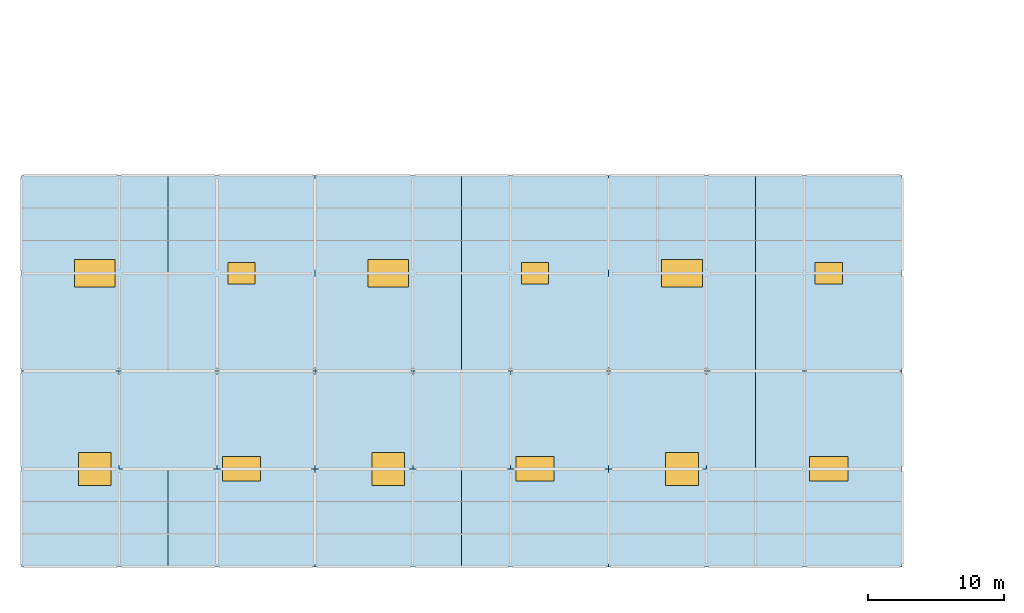
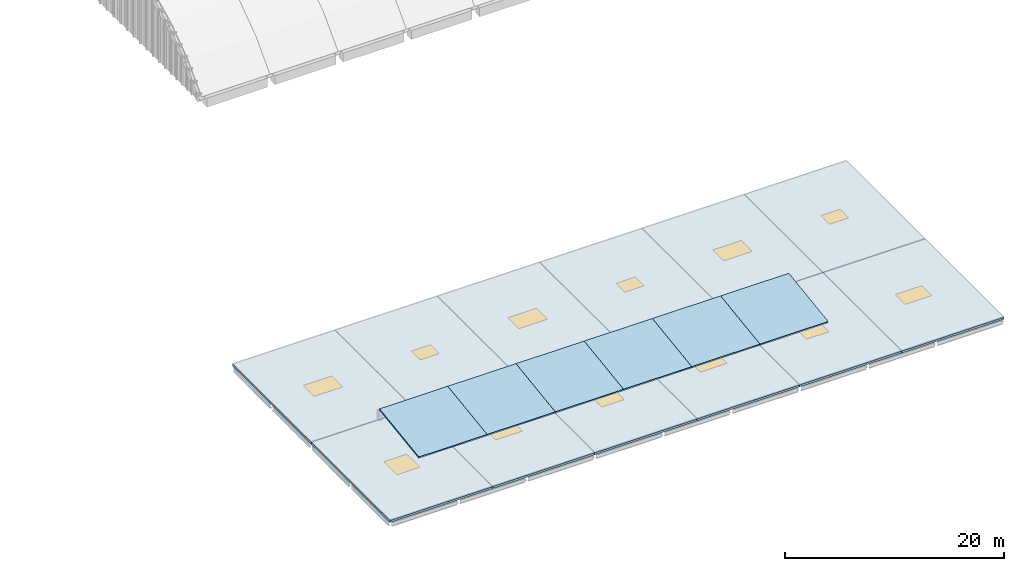
# One storey, part 6 of 16: 18 slabs, 12 windows, 12 openings.
"""IFC4 building model written with IfcOpenShell, lengths in metres."""

from ifc_helpers import new_model, si_unit, direction, frame, origin, origin_2d, place, context, subcontext, project, spatial, polyline, rectangle, outline, extrude, material, layer, layer_set, type_object, element, fill, save


model = new_model("IFC4")

# Units and contexts
model_context = context("Model", 3, precision=1e-05, world=origin(), true_north=direction((0.0, 1.0)))
body_context = subcontext(model_context, "Body", "Model", "MODEL_VIEW")
ifc_project = project(units=[si_unit("LENGTHUNIT", "METRE"), si_unit("AREAUNIT", "SQUARE_METRE"), si_unit("VOLUMEUNIT", "CUBIC_METRE"), si_unit("PLANEANGLEUNIT", "RADIAN"), si_unit("MASSUNIT", "GRAM", prefix="KILO")], contexts=[model_context])

# Site, building, storey
site_placement = place(None, origin())
site = spatial("IfcSite", under=ifc_project, at=site_placement, CompositionType="ELEMENT")
building_placement = place(site_placement, origin())
building = spatial("IfcBuilding", under=site, at=building_placement, Name="Sardonyx Promenade Sports Hall", CompositionType="ELEMENT")
storey_placement = place(building_placement, frame((0.0, 0.0, 24.800048828125)))
storey = spatial("IfcBuildingStorey", under=building, at=storey_placement, Name="RF", CompositionType="ELEMENT", Elevation=24.800048828125)

# Slab, opening, window
ifc_material_1 = material(Name="Concrete C40/50", Category="concrete")
ifc_layer_1 = layer(ifc_material_1, 0.22998046875)
ifc_layer_set_1 = layer_set([ifc_layer_1], Name="Slab_Roof_Flat_230")
slab_type_1 = type_object("IfcSlabType", Name="Slab_Roof_Flat_230", PredefinedType="ROOF", material=ifc_layer_set_1)
slab_1_placement = place(storey_placement, frame((0.0, 0.0, -0.22998046875)))
slab_1 = element("IfcSlab", 1, at=slab_1_placement, inside=storey, type_object=slab_type_1, Name="Slab RS02 RF #1", PredefinedType="ROOF", context=body_context, shape_type="SweptSolid", body=[
    extrude(outline(polyline([(7.199951171875, 0.0), (18.0, 0.0), (18.0, 14.39990234375), (7.199951171875, 14.39990234375), (7.199951171875, 0.0)])), origin(), (0.0, 0.0, 1.0), 0.22998046875),
])
opening_1_placement = place(slab_1_placement, frame((12.60009765625, 7.199951171875, 0.0)))
opening_1 = element("IfcOpeningElement", 2, at=opening_1_placement, cuts=slab_1, Name="Opening W03", PredefinedType="OPENING", context=body_context, shape_type="SweptSolid", body=[
    extrude(rectangle(XDim=2.39990234375, YDim=2.39990234375, at=origin_2d()), origin(), (0.0, 0.0, 1.0), 0.22998046875),
])
ifc_material_2 = material(Name="Double-glazed solar low-E aluminium window", Category="aluminium")
window_type_1 = type_object("IfcWindowType", Name="Sky_Foyer_240x240", PartitioningType="DOUBLE_PANEL_VERTICAL", PredefinedType="SKYLIGHT", material=ifc_material_2)
window_1_placement = place(opening_1_placement, frame((0.0, 0.0, 0.179931640625)))
window_1 = element("IfcWindow", 3, at=window_1_placement, inside=storey, type_object=window_type_1, Name="Modular skylight W03 #1", OverallHeight=2.39990234375, OverallWidth=2.39990234375, PartitioningType="SINGLE_PANEL", PredefinedType="SKYLIGHT", context=body_context, shape_type="SweptSolid", body=[
    extrude(rectangle(XDim=2.39990234375, YDim=2.39990234375, at=origin_2d()), origin(), (0.0, 0.0, 1.0), 0.050048828125),
])
fill(opening_1, window_1)

slab_2_placement = place(storey_placement, frame((0.0, 0.0, -0.22998046875)))
slab_2 = element("IfcSlab", 4, at=slab_2_placement, inside=storey, type_object=slab_type_1, Name="Slab RS02 RF #2", PredefinedType="ROOF", context=body_context, shape_type="SweptSolid", body=[
    extrude(outline(polyline([(7.199951171875, 14.39990234375), (18.0, 14.39990234375), (18.0, 28.800048828125), (7.199951171875, 28.800048828125), (7.199951171875, 14.39990234375)])), origin(), (0.0, 0.0, 1.0), 0.22998046875),
])
opening_2_placement = place(slab_2_placement, frame((12.60009765625, 21.60009765625, 0.0)))
opening_2 = element("IfcOpeningElement", 5, at=opening_2_placement, cuts=slab_2, Name="Opening W19", PredefinedType="OPENING", context=body_context, shape_type="SweptSolid", body=[
    extrude(rectangle(XDim=3.0, YDim=2.0, at=origin_2d()), origin(), (0.0, 0.0, 1.0), 0.22998046875),
])
ifc_material_3 = material(Name="Double-glazed solar low-E aluminium window", Category="aluminium")
window_type_2 = type_object("IfcWindowType", Name="Sky_Foyer_300x200", PartitioningType="DOUBLE_PANEL_VERTICAL", PredefinedType="SKYLIGHT", material=ifc_material_3)
window_2_placement = place(opening_2_placement, frame((0.0, 0.0, 0.179931640625)))
window_2 = element("IfcWindow", 6, at=window_2_placement, inside=storey, type_object=window_type_2, Name="Modular skylight W19 #2", OverallHeight=2.0, OverallWidth=3.0, PartitioningType="SINGLE_PANEL", PredefinedType="SKYLIGHT", context=body_context, shape_type="SweptSolid", body=[
    extrude(rectangle(XDim=3.0, YDim=2.0, at=origin_2d()), origin(), (0.0, 0.0, 1.0), 0.050048828125),
])
fill(opening_2, window_2)

slab_3_placement = place(storey_placement, frame((0.0, 0.0, -0.22998046875)))
slab_3 = element("IfcSlab", 7, at=slab_3_placement, inside=storey, type_object=slab_type_1, Name="Slab RS02 RF #3", PredefinedType="ROOF", context=body_context, shape_type="SweptSolid", body=[
    extrude(outline(polyline([(18.0, 0.0), (28.800048828125, 0.0), (28.800048828125, 14.39990234375), (18.0, 14.39990234375), (18.0, 0.0)])), origin(), (0.0, 0.0, 1.0), 0.22998046875),
])
opening_3_placement = place(slab_3_placement, frame((23.39990234375, 7.199951171875, 0.0)))
opening_3 = element("IfcOpeningElement", 8, at=opening_3_placement, cuts=slab_3, Name="Opening W18", PredefinedType="OPENING", context=body_context, shape_type="SweptSolid", body=[
    extrude(rectangle(XDim=2.800048828125, YDim=1.800048828125, at=origin_2d()), origin(), (0.0, 0.0, 1.0), 0.22998046875),
])
ifc_material_4 = material(Name="Double-glazed solar low-E aluminium window", Category="aluminium")
window_type_3 = type_object("IfcWindowType", Name="Sky_Climb_280x180", PartitioningType="DOUBLE_PANEL_VERTICAL", PredefinedType="SKYLIGHT", material=ifc_material_4)
window_3_placement = place(opening_3_placement, frame((0.0, 0.0, 0.179931640625)))
window_3 = element("IfcWindow", 9, at=window_3_placement, inside=storey, type_object=window_type_3, Name="Modular skylight W18 #3", OverallHeight=1.800048828125, OverallWidth=2.800048828125, PartitioningType="SINGLE_PANEL", PredefinedType="SKYLIGHT", context=body_context, shape_type="SweptSolid", body=[
    extrude(rectangle(XDim=2.800048828125, YDim=1.800048828125, at=origin_2d()), origin(), (0.0, 0.0, 1.0), 0.050048828125),
])
fill(opening_3, window_3)

slab_4_placement = place(storey_placement, frame((0.0, 0.0, -0.22998046875)))
slab_4 = element("IfcSlab", 10, at=slab_4_placement, inside=storey, type_object=slab_type_1, Name="Slab RS02 RF #4", PredefinedType="ROOF", context=body_context, shape_type="SweptSolid", body=[
    extrude(outline(polyline([(18.0, 14.39990234375), (28.800048828125, 14.39990234375), (28.800048828125, 28.800048828125), (18.0, 28.800048828125), (18.0, 14.39990234375)])), origin(), (0.0, 0.0, 1.0), 0.22998046875),
])
opening_4_placement = place(slab_4_placement, frame((23.39990234375, 21.60009765625, 0.0)))
opening_4 = element("IfcOpeningElement", 11, at=opening_4_placement, cuts=slab_4, Name="Opening W12", PredefinedType="OPENING", context=body_context, shape_type="SweptSolid", body=[
    extrude(rectangle(XDim=2.0, YDim=1.60009765625, at=origin_2d()), origin(), (0.0, 0.0, 1.0), 0.22998046875),
])
ifc_material_5 = material(Name="Double-glazed solar low-E aluminium window", Category="aluminium")
window_type_4 = type_object("IfcWindowType", Name="Sky_Studio_200x160", PartitioningType="DOUBLE_PANEL_VERTICAL", PredefinedType="SKYLIGHT", material=ifc_material_5)
window_4_placement = place(opening_4_placement, frame((0.0, 0.0, 0.179931640625)))
window_4 = element("IfcWindow", 12, at=window_4_placement, inside=storey, type_object=window_type_4, Name="Modular skylight W12 #4", OverallHeight=1.60009765625, OverallWidth=2.0, PartitioningType="SINGLE_PANEL", PredefinedType="SKYLIGHT", context=body_context, shape_type="SweptSolid", body=[
    extrude(rectangle(XDim=2.0, YDim=1.60009765625, at=origin_2d()), origin(), (0.0, 0.0, 1.0), 0.050048828125),
])
fill(opening_4, window_4)

slab_5_placement = place(storey_placement, frame((0.0, 0.0, -0.22998046875)))
slab_5 = element("IfcSlab", 13, at=slab_5_placement, inside=storey, type_object=slab_type_1, Name="Slab RS02 RF #5", PredefinedType="ROOF", context=body_context, shape_type="SweptSolid", body=[
    extrude(outline(polyline([(28.800048828125, 0.0), (39.60009765625, 0.0), (39.60009765625, 14.39990234375), (28.800048828125, 14.39990234375), (28.800048828125, 0.0)])), origin(), (0.0, 0.0, 1.0), 0.22998046875),
])
opening_5_placement = place(slab_5_placement, frame((34.199951171875, 7.199951171875, 0.0)))
opening_5 = element("IfcOpeningElement", 14, at=opening_5_placement, cuts=slab_5, Name="Opening W03", PredefinedType="OPENING", context=body_context, shape_type="SweptSolid", body=[
    extrude(rectangle(XDim=2.39990234375, YDim=2.39990234375, at=origin_2d()), origin(), (0.0, 0.0, 1.0), 0.22998046875),
])
window_5_placement = place(opening_5_placement, frame((0.0, 0.0, 0.179931640625)))
window_5 = element("IfcWindow", 15, at=window_5_placement, inside=storey, type_object=window_type_1, Name="Modular skylight W03 #5", OverallHeight=2.39990234375, OverallWidth=2.39990234375, PartitioningType="SINGLE_PANEL", PredefinedType="SKYLIGHT", context=body_context, shape_type="SweptSolid", body=[
    extrude(rectangle(XDim=2.39990234375, YDim=2.39990234375, at=origin_2d()), origin(), (0.0, 0.0, 1.0), 0.050048828125),
])
fill(opening_5, window_5)

slab_6_placement = place(storey_placement, frame((0.0, 0.0, -0.22998046875)))
slab_6 = element("IfcSlab", 16, at=slab_6_placement, inside=storey, type_object=slab_type_1, Name="Slab RS02 RF #6", PredefinedType="ROOF", context=body_context, shape_type="SweptSolid", body=[
    extrude(outline(polyline([(28.800048828125, 14.39990234375), (39.60009765625, 14.39990234375), (39.60009765625, 28.800048828125), (28.800048828125, 28.800048828125), (28.800048828125, 14.39990234375)])), origin(), (0.0, 0.0, 1.0), 0.22998046875),
])
opening_6_placement = place(slab_6_placement, frame((34.199951171875, 21.60009765625, 0.0)))
opening_6 = element("IfcOpeningElement", 17, at=opening_6_placement, cuts=slab_6, Name="Opening W19", PredefinedType="OPENING", context=body_context, shape_type="SweptSolid", body=[
    extrude(rectangle(XDim=3.0, YDim=2.0, at=origin_2d()), origin(), (0.0, 0.0, 1.0), 0.22998046875),
])
window_6_placement = place(opening_6_placement, frame((0.0, 0.0, 0.179931640625)))
window_6 = element("IfcWindow", 18, at=window_6_placement, inside=storey, type_object=window_type_2, Name="Modular skylight W19 #6", OverallHeight=2.0, OverallWidth=3.0, PartitioningType="SINGLE_PANEL", PredefinedType="SKYLIGHT", context=body_context, shape_type="SweptSolid", body=[
    extrude(rectangle(XDim=3.0, YDim=2.0, at=origin_2d()), origin(), (0.0, 0.0, 1.0), 0.050048828125),
])
fill(opening_6, window_6)

slab_7_placement = place(storey_placement, frame((0.0, 0.0, -0.22998046875)))
slab_7 = element("IfcSlab", 19, at=slab_7_placement, inside=storey, type_object=slab_type_1, Name="Slab RS02 RF #7", PredefinedType="ROOF", context=body_context, shape_type="SweptSolid", body=[
    extrude(outline(polyline([(39.60009765625, 0.0), (50.39990234375, 0.0), (50.39990234375, 14.39990234375), (39.60009765625, 14.39990234375), (39.60009765625, 0.0)])), origin(), (0.0, 0.0, 1.0), 0.22998046875),
])
opening_7_placement = place(slab_7_placement, frame((45.0, 7.199951171875, 0.0)))
opening_7 = element("IfcOpeningElement", 20, at=opening_7_placement, cuts=slab_7, Name="Opening W18", PredefinedType="OPENING", context=body_context, shape_type="SweptSolid", body=[
    extrude(rectangle(XDim=2.800048828125, YDim=1.800048828125, at=origin_2d()), origin(), (0.0, 0.0, 1.0), 0.22998046875),
])
window_7_placement = place(opening_7_placement, frame((0.0, 0.0, 0.179931640625)))
window_7 = element("IfcWindow", 21, at=window_7_placement, inside=storey, type_object=window_type_3, Name="Modular skylight W18 #7", OverallHeight=1.800048828125, OverallWidth=2.800048828125, PartitioningType="SINGLE_PANEL", PredefinedType="SKYLIGHT", context=body_context, shape_type="SweptSolid", body=[
    extrude(rectangle(XDim=2.800048828125, YDim=1.800048828125, at=origin_2d()), origin(), (0.0, 0.0, 1.0), 0.050048828125),
])
fill(opening_7, window_7)

slab_8_placement = place(storey_placement, frame((0.0, 0.0, -0.22998046875)))
slab_8 = element("IfcSlab", 22, at=slab_8_placement, inside=storey, type_object=slab_type_1, Name="Slab RS02 RF #8", PredefinedType="ROOF", context=body_context, shape_type="SweptSolid", body=[
    extrude(outline(polyline([(39.60009765625, 14.39990234375), (50.39990234375, 14.39990234375), (50.39990234375, 28.800048828125), (39.60009765625, 28.800048828125), (39.60009765625, 14.39990234375)])), origin(), (0.0, 0.0, 1.0), 0.22998046875),
])
opening_8_placement = place(slab_8_placement, frame((45.0, 21.60009765625, 0.0)))
opening_8 = element("IfcOpeningElement", 23, at=opening_8_placement, cuts=slab_8, Name="Opening W12", PredefinedType="OPENING", context=body_context, shape_type="SweptSolid", body=[
    extrude(rectangle(XDim=2.0, YDim=1.60009765625, at=origin_2d()), origin(), (0.0, 0.0, 1.0), 0.22998046875),
])
window_8_placement = place(opening_8_placement, frame((0.0, 0.0, 0.179931640625)))
window_8 = element("IfcWindow", 24, at=window_8_placement, inside=storey, type_object=window_type_4, Name="Modular skylight W12 #8", OverallHeight=1.60009765625, OverallWidth=2.0, PartitioningType="SINGLE_PANEL", PredefinedType="SKYLIGHT", context=body_context, shape_type="SweptSolid", body=[
    extrude(rectangle(XDim=2.0, YDim=1.60009765625, at=origin_2d()), origin(), (0.0, 0.0, 1.0), 0.050048828125),
])
fill(opening_8, window_8)

slab_9_placement = place(storey_placement, frame((0.0, 0.0, -0.22998046875)))
slab_9 = element("IfcSlab", 25, at=slab_9_placement, inside=storey, type_object=slab_type_1, Name="Slab RS02 RF #9", PredefinedType="ROOF", context=body_context, shape_type="SweptSolid", body=[
    extrude(outline(polyline([(50.39990234375, 0.0), (61.199951171875, 0.0), (61.199951171875, 14.39990234375), (50.39990234375, 14.39990234375), (50.39990234375, 0.0)])), origin(), (0.0, 0.0, 1.0), 0.22998046875),
])
opening_9_placement = place(slab_9_placement, frame((55.800048828125, 7.199951171875, 0.0)))
opening_9 = element("IfcOpeningElement", 26, at=opening_9_placement, cuts=slab_9, Name="Opening W03", PredefinedType="OPENING", context=body_context, shape_type="SweptSolid", body=[
    extrude(rectangle(XDim=2.39990234375, YDim=2.39990234375, at=origin_2d()), origin(), (0.0, 0.0, 1.0), 0.22998046875),
])
window_9_placement = place(opening_9_placement, frame((0.0, 0.0, 0.179931640625)))
window_9 = element("IfcWindow", 27, at=window_9_placement, inside=storey, type_object=window_type_1, Name="Modular skylight W03 #9", OverallHeight=2.39990234375, OverallWidth=2.39990234375, PartitioningType="SINGLE_PANEL", PredefinedType="SKYLIGHT", context=body_context, shape_type="SweptSolid", body=[
    extrude(rectangle(XDim=2.39990234375, YDim=2.39990234375, at=origin_2d()), origin(), (0.0, 0.0, 1.0), 0.050048828125),
])
fill(opening_9, window_9)

slab_10_placement = place(storey_placement, frame((0.0, 0.0, -0.22998046875)))
slab_10 = element("IfcSlab", 28, at=slab_10_placement, inside=storey, type_object=slab_type_1, Name="Slab RS02 RF #10", PredefinedType="ROOF", context=body_context, shape_type="SweptSolid", body=[
    extrude(outline(polyline([(50.39990234375, 14.39990234375), (61.199951171875, 14.39990234375), (61.199951171875, 28.800048828125), (50.39990234375, 28.800048828125), (50.39990234375, 14.39990234375)])), origin(), (0.0, 0.0, 1.0), 0.22998046875),
])
opening_10_placement = place(slab_10_placement, frame((55.800048828125, 21.60009765625, 0.0)))
opening_10 = element("IfcOpeningElement", 29, at=opening_10_placement, cuts=slab_10, Name="Opening W19", PredefinedType="OPENING", context=body_context, shape_type="SweptSolid", body=[
    extrude(rectangle(XDim=3.0, YDim=2.0, at=origin_2d()), origin(), (0.0, 0.0, 1.0), 0.22998046875),
])
window_10_placement = place(opening_10_placement, frame((0.0, 0.0, 0.179931640625)))
window_10 = element("IfcWindow", 30, at=window_10_placement, inside=storey, type_object=window_type_2, Name="Modular skylight W19 #10", OverallHeight=2.0, OverallWidth=3.0, PartitioningType="SINGLE_PANEL", PredefinedType="SKYLIGHT", context=body_context, shape_type="SweptSolid", body=[
    extrude(rectangle(XDim=3.0, YDim=2.0, at=origin_2d()), origin(), (0.0, 0.0, 1.0), 0.050048828125),
])
fill(opening_10, window_10)

slab_11_placement = place(storey_placement, frame((0.0, 0.0, -0.22998046875)))
slab_11 = element("IfcSlab", 31, at=slab_11_placement, inside=storey, type_object=slab_type_1, Name="Slab RS02 RF #11", PredefinedType="ROOF", context=body_context, shape_type="SweptSolid", body=[
    extrude(outline(polyline([(61.199951171875, 0.0), (72.0, 0.0), (72.0, 14.39990234375), (61.199951171875, 14.39990234375), (61.199951171875, 0.0)])), origin(), (0.0, 0.0, 1.0), 0.22998046875),
])
opening_11_placement = place(slab_11_placement, frame((66.60009765625, 7.199951171875, 0.0)))
opening_11 = element("IfcOpeningElement", 32, at=opening_11_placement, cuts=slab_11, Name="Opening W18", PredefinedType="OPENING", context=body_context, shape_type="SweptSolid", body=[
    extrude(rectangle(XDim=2.800048828125, YDim=1.800048828125, at=origin_2d()), origin(), (0.0, 0.0, 1.0), 0.22998046875),
])
window_11_placement = place(opening_11_placement, frame((0.0, 0.0, 0.179931640625)))
window_11 = element("IfcWindow", 33, at=window_11_placement, inside=storey, type_object=window_type_3, Name="Modular skylight W18 #11", OverallHeight=1.800048828125, OverallWidth=2.800048828125, PartitioningType="SINGLE_PANEL", PredefinedType="SKYLIGHT", context=body_context, shape_type="SweptSolid", body=[
    extrude(rectangle(XDim=2.800048828125, YDim=1.800048828125, at=origin_2d()), origin(), (0.0, 0.0, 1.0), 0.050048828125),
])
fill(opening_11, window_11)

slab_12_placement = place(storey_placement, frame((0.0, 0.0, -0.22998046875)))
slab_12 = element("IfcSlab", 34, at=slab_12_placement, inside=storey, type_object=slab_type_1, Name="Slab RS02 RF #12", PredefinedType="ROOF", context=body_context, shape_type="SweptSolid", body=[
    extrude(outline(polyline([(61.199951171875, 14.39990234375), (72.0, 14.39990234375), (72.0, 28.800048828125), (61.199951171875, 28.800048828125), (61.199951171875, 14.39990234375)])), origin(), (0.0, 0.0, 1.0), 0.22998046875),
])
opening_12_placement = place(slab_12_placement, frame((66.60009765625, 21.60009765625, 0.0)))
opening_12 = element("IfcOpeningElement", 35, at=opening_12_placement, cuts=slab_12, Name="Opening W12", PredefinedType="OPENING", context=body_context, shape_type="SweptSolid", body=[
    extrude(rectangle(XDim=2.0, YDim=1.60009765625, at=origin_2d()), origin(), (0.0, 0.0, 1.0), 0.22998046875),
])
window_12_placement = place(opening_12_placement, frame((0.0, 0.0, 0.179931640625)))
window_12 = element("IfcWindow", 36, at=window_12_placement, inside=storey, type_object=window_type_4, Name="Modular skylight W12 #12", OverallHeight=1.60009765625, OverallWidth=2.0, PartitioningType="SINGLE_PANEL", PredefinedType="SKYLIGHT", context=body_context, shape_type="SweptSolid", body=[
    extrude(rectangle(XDim=2.0, YDim=1.60009765625, at=origin_2d()), origin(), (0.0, 0.0, 1.0), 0.050048828125),
])
fill(opening_12, window_12)

# Slabs
ifc_material_6 = material(Name="Concrete C40/50", Category="concrete")
ifc_layer_2 = layer(ifc_material_6, 0.159912109375)
ifc_layer_set_2 = layer_set([ifc_layer_2], Name="Slab_Roof_Sloped_160")
slab_type_2 = type_object("IfcSlabType", Name="Slab_Roof_Sloped_160", PredefinedType="ROOF", material=ifc_layer_set_2)
slab_13_placement = place(storey_placement, frame((14.39990234375, 7.199951171875, 0.199951171875), z_axis=(0.0, -0.139183316727, 0.990266632955), x_axis=(1.0, 0.0, 0.0)))
element("IfcSlab", 37, at=slab_13_placement, inside=storey, type_object=slab_type_2, Name="Pavilion mono-pitch roof slab #1", PredefinedType="ROOF", context=body_context, shape_type="SweptSolid", body=[
    extrude(outline(polyline([(0.0, 0.0), (7.2001953125, 0.0), (7.2001953125, 7.270719755937942), (0.0, 7.270719755937942), (0.0, 0.0)])), origin(), (0.0, 0.0, -1.0), 0.159912109375),
])
for number, where, z_axis, x_axis, name in (
    (38, (21.60009765625, 7.199951171875, 0.199951171875), (0.0, -0.139183316727, 0.990266632955), (1.0, 0.0, 0.0), "Pavilion mono-pitch roof slab #2"),
    (39, (28.800048828125, 7.199951171875, 0.199951171875), (0.0, -0.139183316727, 0.990266632955), (1.0, 0.0, 0.0), "Pavilion mono-pitch roof slab #3"),
    (40, (36.0, 7.199951171875, 0.199951171875), (0.0, -0.139183316727, 0.990266632955), (1.0, 0.0, 0.0), "Pavilion mono-pitch roof slab #4"),
    (41, (43.199951171875, 7.199951171875, 0.199951171875), (0.0, -0.139183316727, 0.990266632955), (1.0, 0.0, 0.0), "Pavilion mono-pitch roof slab #5"),
):
    element("IfcSlab", number, at=place(storey_placement, frame(where, z_axis=z_axis, x_axis=x_axis)), inside=storey, type_object=slab_type_2, Name=name, PredefinedType="ROOF", context=body_context, shape_type="SweptSolid", body=[
        extrude(outline(polyline([(0.0, 0.0), (7.199951171875, 0.0), (7.199951171875, 7.270719755937942), (0.0, 7.270719755937942), (0.0, 0.0)])), origin(), (0.0, 0.0, -1.0), 0.159912109375),
    ])
slab_14_placement = place(storey_placement, frame((50.39990234375, 7.199951171875, 0.199951171875), z_axis=(0.0, -0.139183316727, 0.990266632955), x_axis=(1.0, 0.0, 0.0)))
element("IfcSlab", 42, at=slab_14_placement, inside=storey, type_object=slab_type_2, Name="Pavilion mono-pitch roof slab #6", PredefinedType="ROOF", context=body_context, shape_type="SweptSolid", body=[
    extrude(outline(polyline([(0.0, 0.0), (7.2001953125, 0.0), (7.2001953125, 7.270719755937942), (0.0, 7.270719755937942), (0.0, 0.0)])), origin(), (0.0, 0.0, -1.0), 0.159912109375),
])

save(model, "model.ifc")
